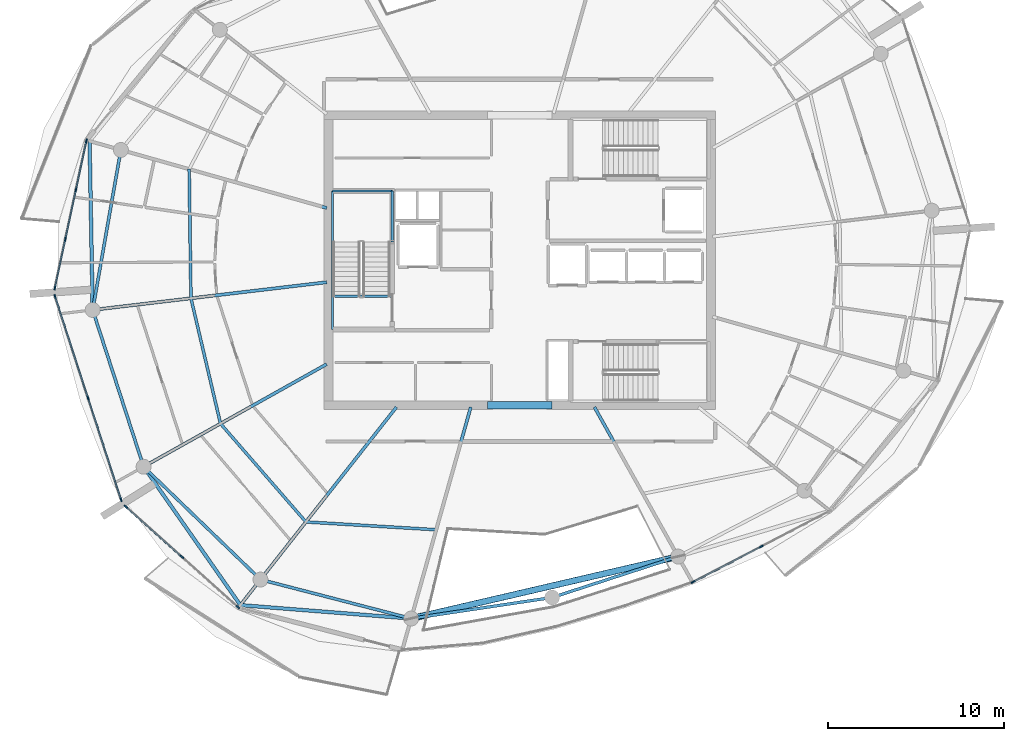
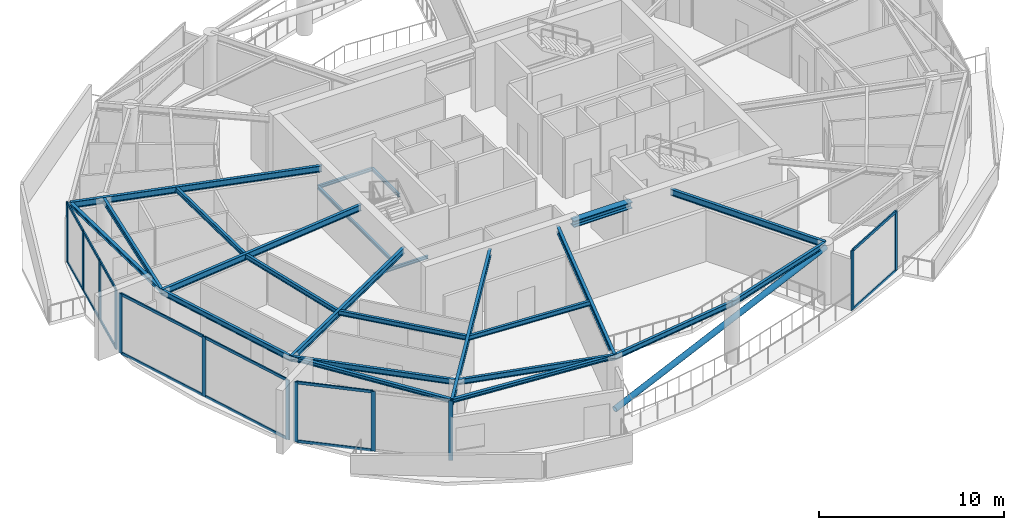
# One storey, part 5 of 22: 27 members, 24 beams, 4 elements without a shape of their own.
"""IFC4 building model written with IfcOpenShell, lengths in metres."""

from ifc_helpers import new_model, si_unit, direction, frame, origin, origin_2d, place, context, subcontext, project, spatial, rectangle, hollow_circle, i_section, extrude, material, layer, layer_set, material_profile, profile_set, type_object, element, aggregate, save


model = new_model("IFC4")

# Units and contexts
model_context = context("Model", 3, precision=1e-05, world=origin(), true_north=direction((0.0, 1.0)))
body_context = subcontext(model_context, "Body", "Model", "MODEL_VIEW")
ifc_project = project(units=[si_unit("LENGTHUNIT", "METRE"), si_unit("AREAUNIT", "SQUARE_METRE"), si_unit("VOLUMEUNIT", "CUBIC_METRE"), si_unit("PLANEANGLEUNIT", "RADIAN"), si_unit("MASSUNIT", "GRAM", prefix="KILO")], contexts=[model_context])

# Site, building, storey
site_placement = place(None, origin())
site = spatial("IfcSite", under=ifc_project, at=site_placement, CompositionType="ELEMENT")
building_placement = place(site_placement, origin())
building = spatial("IfcBuilding", under=site, at=building_placement, Name="Kazma Halo Residences", CompositionType="ELEMENT")
storey_placement = place(building_placement, frame((0.0, 0.0, 330.5)))
storey = spatial("IfcBuildingStorey", under=building, at=storey_placement, Name="L83", CompositionType="ELEMENT", Elevation=330.5)

# Beams
ifc_material_1 = material(Name="Steel S355", Category="steel")
ifc_material_profile_1 = material_profile(ifc_material_1, i_section(OverallWidth=0.201904296875, OverallDepth=0.2470703125, WebThickness=0.00732421875, FlangeThickness=0.010986328125, FilletRadius=0.011962890625, at=origin_2d()), Name="W250x49.1")
ifc_profile_set_1 = profile_set([ifc_material_profile_1], Name="Steel S355")
beam_type_1 = type_object("IfcBeamType", Name="BM-BAL-CANT", PredefinedType="BEAM", material=ifc_profile_set_1)
beam_1_placement = place(storey_placement, frame((23.9638671875, 48.77880859375, 3.81640625), z_axis=(0.018301708623, -0.999832509704, 0.0), x_axis=(0.999832509704, 0.018301708623, 0.0)))
element("IfcBeam", 1, at=beam_1_placement, inside=storey, type_object=beam_type_1, Name="L83 wave-balcony tie beam 07", PredefinedType="BEAM", context=body_context, shape_type="SweptSolid", body=[
    extrude(i_section(OverallWidth=0.201904296875, OverallDepth=0.2470703125, WebThickness=0.00732421875, FlangeThickness=0.010986328125, FilletRadius=0.011962890625, at=origin_2d()), origin(), (0.0, 0.0, 1.0), 9.604736328125),
])
beam_2_placement = place(storey_placement, frame((27.03662109375, 30.260009765625, 3.81640625), z_axis=(0.572873629847, -0.819643705659, 0.0), x_axis=(0.819643705659, 0.572873629847, 0.0)))
element("IfcBeam", 2, at=beam_2_placement, inside=storey, type_object=beam_type_1, Name="L83 wave-balcony lead tie beam 09", PredefinedType="BEAM", context=body_context, shape_type="SweptSolid", body=[
    extrude(i_section(OverallWidth=0.201904296875, OverallDepth=0.2470703125, WebThickness=0.00732421875, FlangeThickness=0.010986328125, FilletRadius=0.011962890625, at=origin_2d()), origin(), (0.0, 0.0, 1.0), 9.6044921875),
])
beam_3_placement = place(storey_placement, frame((32.538818359375, 22.3876953125, 3.81640625), z_axis=(0.996920506796, -0.078418767718, 0.0), x_axis=(0.078418767718, 0.996920506796, 0.0)))
element("IfcBeam", 3, at=beam_3_placement, inside=storey, type_object=beam_type_1, Name="L83 wave-balcony tie beam 10", PredefinedType="BEAM", context=body_context, shape_type="SweptSolid", body=[
    extrude(i_section(OverallWidth=0.201904296875, OverallDepth=0.2470703125, WebThickness=0.00732421875, FlangeThickness=0.010986328125, FilletRadius=0.011962890625, at=origin_2d()), origin(), (0.0, 0.0, 1.0), 9.74462890625),
])
ifc_material_profile_2 = material_profile(ifc_material_1, i_section(OverallWidth=0.408935546875, OverallDepth=0.425048828125, WebThickness=0.03271484375, FlangeThickness=0.052490234375, FilletRadius=0.02001953125, at=origin_2d()), Name="W360x421")
ifc_profile_set_2 = profile_set([ifc_material_profile_2], Name="Steel S355")
beam_type_2 = type_object("IfcBeamType", Name="BM-CORE-W360H", PredefinedType="BEAM", material=ifc_profile_set_2)
beam_4_placement = place(storey_placement, frame((46.60009765625, 33.75, 3.7275390625), z_axis=(1.0, 0.0, 0.0), x_axis=(0.0, 1.0, 0.0)))
element("IfcBeam", 4, at=beam_4_placement, inside=storey, type_object=beam_type_2, Name="L83 core coupling beam S", PredefinedType="BEAM", context=body_context, shape_type="SweptSolid", body=[
    extrude(i_section(OverallWidth=0.408935546875, OverallDepth=0.425048828125, WebThickness=0.03271484375, FlangeThickness=0.052490234375, FilletRadius=0.02001953125, at=origin_2d()), origin(), (0.0, 0.0, 1.0), 3.64990234375),
])
ifc_material_profile_3 = material_profile(ifc_material_1, i_section(OverallWidth=0.177978515625, OverallDepth=0.406982421875, WebThickness=0.0078125, FlangeThickness=0.0126953125, FilletRadius=0.013916015625, at=origin_2d()), Name="W410x60")
ifc_profile_set_3 = profile_set([ifc_material_profile_3], Name="Steel S355")
beam_type_3 = type_object("IfcBeamType", Name="BM-RAD-W410", PredefinedType="BEAM", material=ifc_profile_set_3)
beam_5_placement = place(storey_placement, frame((37.449951171875, 44.975341796875, 3.736572265625), z_axis=(-0.962455278458, 0.27144030093, 0.0), x_axis=(-0.27144030093, -0.962455278458, 0.0)))
element("IfcBeam", 5, at=beam_5_placement, inside=storey, type_object=beam_type_3, Name="L83 radial floor beam 07", PredefinedType="BEAM", context=body_context, shape_type="SweptSolid", body=[
    extrude(i_section(OverallWidth=0.177978515625, OverallDepth=0.406982421875, WebThickness=0.0078125, FlangeThickness=0.0126953125, FilletRadius=0.013916015625, at=origin_2d()), origin(), (0.0, 0.0, 1.0), 14.01220703125),
])
beam_6_placement = place(storey_placement, frame((37.449951171875, 40.751220703125, 3.736572265625), z_axis=(-0.993067923032, -0.11754190846, 0.0), x_axis=(0.11754190846, -0.993067923032, 0.0)))
element("IfcBeam", 6, at=beam_6_placement, inside=storey, type_object=beam_type_3, Name="L83 radial floor beam 08", PredefinedType="BEAM", context=body_context, shape_type="SweptSolid", body=[
    extrude(i_section(OverallWidth=0.177978515625, OverallDepth=0.406982421875, WebThickness=0.0078125, FlangeThickness=0.0126953125, FilletRadius=0.013916015625, at=origin_2d()), origin(), (0.0, 0.0, 1.0), 13.4033203125),
])
beam_7_placement = place(storey_placement, frame((37.449951171875, 36.091796875, 3.736572265625), z_axis=(-0.872494504737, -0.4886239241, 0.0), x_axis=(0.4886239241, -0.872494504737, 0.0)))
element("IfcBeam", 7, at=beam_7_placement, inside=storey, type_object=beam_type_3, Name="L83 radial floor beam 09", PredefinedType="BEAM", context=body_context, shape_type="SweptSolid", body=[
    extrude(i_section(OverallWidth=0.177978515625, OverallDepth=0.406982421875, WebThickness=0.0078125, FlangeThickness=0.0126953125, FilletRadius=0.013916015625, at=origin_2d()), origin(), (0.0, 0.0, 1.0), 11.93505859375),
])
beam_8_placement = place(storey_placement, frame((41.41748046875, 33.64990234375, 3.736572265625), z_axis=(-0.61910487104, -0.78530832076, 0.0), x_axis=(0.78530832076, -0.61910487104, 0.0)))
element("IfcBeam", 8, at=beam_8_placement, inside=storey, type_object=beam_type_3, Name="L83 radial floor beam 10", PredefinedType="BEAM", context=body_context, shape_type="SweptSolid", body=[
    extrude(i_section(OverallWidth=0.177978515625, OverallDepth=0.406982421875, WebThickness=0.0078125, FlangeThickness=0.0126953125, FilletRadius=0.013916015625, at=origin_2d()), origin(), (0.0, 0.0, 1.0), 14.341064453125),
])
beam_9_placement = place(storey_placement, frame((45.64501953125, 33.64990234375, 3.736572265625), z_axis=(-0.271426752139, -0.962459099507, 0.0), x_axis=(0.962459099507, -0.271426752139, 0.0)))
element("IfcBeam", 9, at=beam_9_placement, inside=storey, type_object=beam_type_3, Name="L83 radial floor beam 11", PredefinedType="BEAM", context=body_context, shape_type="SweptSolid", body=[
    extrude(i_section(OverallWidth=0.177978515625, OverallDepth=0.406982421875, WebThickness=0.0078125, FlangeThickness=0.0126953125, FilletRadius=0.013916015625, at=origin_2d()), origin(), (0.0, 0.0, 1.0), 12.495361328125),
])
beam_10_placement = place(storey_placement, frame((52.67626953125, 33.64990234375, 3.736572265625), z_axis=(0.488620919127, -0.872496187608, 0.0), x_axis=(0.872496187608, 0.488620919127, 0.0)))
element("IfcBeam", 10, at=beam_10_placement, inside=storey, type_object=beam_type_3, Name="L83 radial floor beam 13", PredefinedType="BEAM", context=body_context, shape_type="SweptSolid", body=[
    extrude(i_section(OverallWidth=0.177978515625, OverallDepth=0.406982421875, WebThickness=0.0078125, FlangeThickness=0.0126953125, FilletRadius=0.013916015625, at=origin_2d()), origin(), (0.0, 0.0, 1.0), 9.74267578125),
])
ifc_material_profile_4 = material_profile(ifc_material_1, i_section(OverallWidth=0.1650390625, OverallDepth=0.31005859375, WebThickness=0.005859375, FlangeThickness=0.009765625, FilletRadius=0.011962890625, at=origin_2d()), Name="W310x38.7")
ifc_profile_set_4 = profile_set([ifc_material_profile_4], Name="Steel S355")
beam_type_4 = type_object("IfcBeamType", Name="BM-SEC-W310B", PredefinedType="JOIST", material=ifc_profile_set_4)
beam_11_placement = place(storey_placement, frame((29.628173828125, 47.181396484375, 3.784912109375), z_axis=(0.013861699983, -0.999903922021, 0.0), x_axis=(0.999903922021, 0.013861699983, 0.0)))
element("IfcBeam", 11, at=beam_11_placement, inside=storey, type_object=beam_type_4, Name="L83 circumferential floor joist 07", PredefinedType="JOIST", context=body_context, shape_type="SweptSolid", body=[
    extrude(i_section(OverallWidth=0.1650390625, OverallDepth=0.31005859375, WebThickness=0.005859375, FlangeThickness=0.009765625, FilletRadius=0.011962890625, at=origin_2d()), origin(), (0.0, 0.0, 1.0), 7.344482421875),
])
beam_12_placement = place(storey_placement, frame((29.72998046875, 39.837646484375, 3.784912109375), z_axis=(0.229446221817, -0.973321340203, 0.0), x_axis=(0.973321340203, 0.229446221817, 0.0)))
element("IfcBeam", 12, at=beam_12_placement, inside=storey, type_object=beam_type_4, Name="L83 circumferential floor joist 08", PredefinedType="JOIST", context=body_context, shape_type="SweptSolid", body=[
    extrude(i_section(OverallWidth=0.1650390625, OverallDepth=0.31005859375, WebThickness=0.005859375, FlangeThickness=0.009765625, FilletRadius=0.011962890625, at=origin_2d()), origin(), (0.0, 0.0, 1.0), 7.32373046875),
])
beam_13_placement = place(storey_placement, frame((31.410400390625, 32.709228515625, 3.784912109375), z_axis=(0.655826094878, -0.754912003664, 0.0), x_axis=(0.754912003664, 0.655826094878, 0.0)))
element("IfcBeam", 13, at=beam_13_placement, inside=storey, type_object=beam_type_4, Name="L83 circumferential floor joist 09", PredefinedType="JOIST", context=body_context, shape_type="SweptSolid", body=[
    extrude(i_section(OverallWidth=0.1650390625, OverallDepth=0.31005859375, WebThickness=0.005859375, FlangeThickness=0.009765625, FilletRadius=0.011962890625, at=origin_2d()), origin(), (0.0, 0.0, 1.0), 7.406494140625),
])
beam_14_placement = place(storey_placement, frame((36.267822265625, 27.117919921875, 3.784912109375), z_axis=(0.998216858477, -0.059691736892, 0.0), x_axis=(0.059691736892, 0.998216858477, 0.0)))
element("IfcBeam", 14, at=beam_14_placement, inside=storey, type_object=beam_type_4, Name="L83 circumferential floor joist 10", PredefinedType="JOIST", context=body_context, shape_type="SweptSolid", body=[
    extrude(i_section(OverallWidth=0.1650390625, OverallDepth=0.31005859375, WebThickness=0.005859375, FlangeThickness=0.009765625, FilletRadius=0.011962890625, at=origin_2d()), origin(), (0.0, 0.0, 1.0), 7.42333984375),
])
ifc_material_profile_5 = material_profile(ifc_material_1, i_section(OverallWidth=0.1708984375, OverallDepth=0.35498046875, WebThickness=0.007080078125, FlangeThickness=0.01171875, FilletRadius=0.013916015625, at=origin_2d()), Name="W360x51")
ifc_profile_set_5 = profile_set([ifc_material_profile_5], Name="Steel S355")
beam_type_5 = type_object("IfcBeamType", Name="BM-SPN-W360", PredefinedType="BEAM", material=ifc_profile_set_5)
beam_15_placement = place(storey_placement, frame((25.744384765625, 48.276611328125, 3.762451171875), z_axis=(-0.173649692956, -0.984807485825, 0.0), x_axis=(0.984807485825, -0.173649692956, 0.0)))
element("IfcBeam", 15, at=beam_15_placement, inside=storey, type_object=beam_type_5, Name="L83 perimeter ring beam 07", PredefinedType="BEAM", context=body_context, shape_type="SweptSolid", body=[
    extrude(i_section(OverallWidth=0.1708984375, OverallDepth=0.35498046875, WebThickness=0.007080078125, FlangeThickness=0.01171875, FilletRadius=0.013916015625, at=origin_2d()), origin(), (0.0, 0.0, 1.0), 9.2412109375),
])
beam_16_placement = place(storey_placement, frame((24.1396484375, 39.17578125, 3.762451171875), z_axis=(0.309023062674, -0.951054544564, 0.0), x_axis=(0.951054544564, 0.309023062674, 0.0)))
element("IfcBeam", 16, at=beam_16_placement, inside=storey, type_object=beam_type_5, Name="L83 perimeter ring beam 08", PredefinedType="BEAM", context=body_context, shape_type="SweptSolid", body=[
    extrude(i_section(OverallWidth=0.1708984375, OverallDepth=0.35498046875, WebThickness=0.007080078125, FlangeThickness=0.01171875, FilletRadius=0.013916015625, at=origin_2d()), origin(), (0.0, 0.0, 1.0), 9.37451171875),
])
beam_17_placement = place(storey_placement, frame((27.03662109375, 30.260009765625, 3.762451171875), z_axis=(0.71933681628, -0.694661460529, 0.0), x_axis=(0.694661460529, 0.71933681628, 0.0)))
element("IfcBeam", 17, at=beam_17_placement, inside=storey, type_object=beam_type_5, Name="L83 perimeter ring beam 09", PredefinedType="BEAM", context=body_context, shape_type="SweptSolid", body=[
    extrude(i_section(OverallWidth=0.1708984375, OverallDepth=0.35498046875, WebThickness=0.007080078125, FlangeThickness=0.01171875, FilletRadius=0.013916015625, at=origin_2d()), origin(), (0.0, 0.0, 1.0), 9.2412109375),
])
beam_18_placement = place(storey_placement, frame((33.68408203125, 23.840576171875, 3.762451171875), z_axis=(0.968124082793, -0.250471076805, 0.0), x_axis=(0.250471076805, 0.968124082793, 0.0)))
element("IfcBeam", 18, at=beam_18_placement, inside=storey, type_object=beam_type_5, Name="L83 perimeter ring beam 10", PredefinedType="BEAM", context=body_context, shape_type="SweptSolid", body=[
    extrude(i_section(OverallWidth=0.1708984375, OverallDepth=0.35498046875, WebThickness=0.007080078125, FlangeThickness=0.01171875, FilletRadius=0.013916015625, at=origin_2d()), origin(), (0.0, 0.0, 1.0), 8.8515625),
])
beam_19_placement = place(storey_placement, frame((42.25341796875, 21.62353515625, 3.762451171875), z_axis=(0.989030710595, 0.147710031817, 0.0), x_axis=(-0.147710031817, 0.989030710595, 0.0)))
element("IfcBeam", 19, at=beam_19_placement, inside=storey, type_object=beam_type_5, Name="L83 perimeter ring beam 11", PredefinedType="BEAM", context=body_context, shape_type="SweptSolid", body=[
    extrude(i_section(OverallWidth=0.1708984375, OverallDepth=0.35498046875, WebThickness=0.007080078125, FlangeThickness=0.01171875, FilletRadius=0.013916015625, at=origin_2d()), origin(), (0.0, 0.0, 1.0), 8.10546875),
])
beam_20_placement = place(storey_placement, frame((50.27001953125, 22.82080078125, 3.762451171875), z_axis=(0.951056684666, 0.309016476183, 0.0), x_axis=(-0.309016476183, 0.951056684666, 0.0)))
element("IfcBeam", 20, at=beam_20_placement, inside=storey, type_object=beam_type_5, Name="L83 perimeter ring beam 12", PredefinedType="BEAM", context=body_context, shape_type="SweptSolid", body=[
    extrude(i_section(OverallWidth=0.1708984375, OverallDepth=0.35498046875, WebThickness=0.007080078125, FlangeThickness=0.01171875, FilletRadius=0.013916015625, at=origin_2d()), origin(), (0.0, 0.0, 1.0), 7.53564453125),
])
ifc_material_profile_6 = material_profile(ifc_material_1, i_section(OverallWidth=0.133056640625, OverallDepth=0.20703125, WebThickness=0.005859375, FlangeThickness=0.00830078125, FilletRadius=0.010009765625, at=origin_2d()), Name="W200x26.6")
ifc_profile_set_6 = profile_set([ifc_material_profile_6], Name="Steel S355")
beam_type_6 = type_object("IfcBeamType", Name="BM-TRIM-W200", PredefinedType="BEAM", material=ifc_profile_set_6)
beam_21_placement = place(storey_placement, frame((37.800048828125, 39.949951171875, -0.3701171875), z_axis=(1.0, 0.0, 0.0), x_axis=(0.0, 1.0, 0.0)))
element("IfcBeam", 21, at=beam_21_placement, inside=storey, type_object=beam_type_6, Name="L83 ST-01 floor landing support beam", PredefinedType="BEAM", context=body_context, shape_type="SweptSolid", body=[
    extrude(i_section(OverallWidth=0.133056640625, OverallDepth=0.20703125, WebThickness=0.005859375, FlangeThickness=0.00830078125, FilletRadius=0.010009765625, at=origin_2d()), origin(), (0.0, 0.0, 1.0), 3.3798828125),
])
beam_22_placement = place(storey_placement, frame((37.780029296875, 38.06005859375, 1.794921875), z_axis=(0.0, 1.0, 0.0), x_axis=(-1.0, 0.0, 0.0)))
element("IfcBeam", 22, at=beam_22_placement, inside=storey, type_object=beam_type_6, Name="L83 ST-01 landing west wall ledger", PredefinedType="BEAM", context=body_context, shape_type="SweptSolid", body=[
    extrude(i_section(OverallWidth=0.133056640625, OverallDepth=0.20703125, WebThickness=0.005859375, FlangeThickness=0.00830078125, FilletRadius=0.010009765625, at=origin_2d()), origin(), (0.0, 0.0, 1.0), 7.8798828125),
])
beam_23_placement = place(storey_placement, frame((41.179931640625, 43.030029296875, 1.794921875), z_axis=(0.0, 1.0, 0.0), x_axis=(-1.0, 0.0, 0.0)))
element("IfcBeam", 23, at=beam_23_placement, inside=storey, type_object=beam_type_6, Name="L83 ST-01 landing east wall ledger", PredefinedType="BEAM", context=body_context, shape_type="SweptSolid", body=[
    extrude(i_section(OverallWidth=0.133056640625, OverallDepth=0.20703125, WebThickness=0.005859375, FlangeThickness=0.00830078125, FilletRadius=0.010009765625, at=origin_2d()), origin(), (0.0, 0.0, 1.0), 2.909912109375),
])
beam_24_placement = place(storey_placement, frame((37.780029296875, 45.93994140625, 1.794921875), z_axis=(1.0, 0.0, 0.0), x_axis=(0.0, 1.0, 0.0)))
element("IfcBeam", 24, at=beam_24_placement, inside=storey, type_object=beam_type_6, Name="L83 ST-01 landing end wall ledger", PredefinedType="BEAM", context=body_context, shape_type="SweptSolid", body=[
    extrude(i_section(OverallWidth=0.133056640625, OverallDepth=0.20703125, WebThickness=0.005859375, FlangeThickness=0.00830078125, FilletRadius=0.010009765625, at=origin_2d()), origin(), (0.0, 0.0, 1.0), 3.39990234375),
])

# Curtain wall, members
ifc_material_2 = material(Name="Aluminium AW-6063 T6 and Triple-Silver Low-E Glass", Category="aluminium")
ifc_layer = layer(ifc_material_2, 0.239990234375)
ifc_layer_set = layer_set([ifc_layer], Name="Aluminium AW-6063 T6 and Triple-Silver Low-E Glass")
curtain_wall_type = type_object("IfcCurtainWallType", Name="CW-SYS-6", PredefinedType="NOTDEFINED", material=ifc_layer_set)
curtain_wall_1_placement = place(storey_placement, origin())
curtain_wall_1 = element("IfcCurtainWall", 25, at=curtain_wall_1_placement, inside=storey, type_object=curtain_wall_type, Name="L83 unitised curtain wall B07", PredefinedType="NOTDEFINED")
ifc_material_3 = material(Name="Aluminium AW-6063 T6", Category="aluminium")
ifc_material_profile_7 = material_profile(ifc_material_3, rectangle(XDim=0.080078125, YDim=0.239990234375, at=origin_2d()), Name="CWM-80x240")
ifc_profile_set_7 = profile_set([ifc_material_profile_7], Name="Aluminium AW-6063 T6")
member_type_1 = type_object("IfcMemberType", Name="CW-SYS-6-MUL", PredefinedType="MULLION", material=ifc_profile_set_7)
member_1_placement = place(storey_placement, frame((23.7841796875, 48.7880859375, 0.0), z_axis=(0.0, 0.0, 1.0), x_axis=(0.977760865363, -0.209722888986, 0.0)))
member_1 = element("IfcMember", 26, at=member_1_placement, type_object=member_type_1, Name="CWS-6 mullion 1", PredefinedType="MULLION", context=body_context, shape_type="SweptSolid", body=[
    extrude(rectangle(XDim=0.080078125, YDim=0.239990234375, at=origin_2d()), origin(), (0.0, 0.0, 1.0), 3.93994140625),
])
member_2_placement = place(storey_placement, frame((23.18896484375, 46.013427734375, 0.0), z_axis=(0.0, 0.0, 1.0), x_axis=(0.977760865363, -0.209722888986, 0.0)))
member_2 = element("IfcMember", 27, at=member_2_placement, type_object=member_type_1, Name="CWS-6 mullion 2", PredefinedType="MULLION", context=body_context, shape_type="SweptSolid", body=[
    extrude(rectangle(XDim=0.080078125, YDim=0.239990234375, at=origin_2d()), origin(), (0.0, 0.0, 1.0), 3.93994140625),
])
member_3_placement = place(storey_placement, frame((22.58544921875, 43.19970703125, 0.0), z_axis=(0.0, 0.0, 1.0), x_axis=(0.977760865363, -0.209722888986, 0.0)))
member_3 = element("IfcMember", 28, at=member_3_placement, type_object=member_type_1, Name="CWS-6 mullion 3", PredefinedType="MULLION", context=body_context, shape_type="SweptSolid", body=[
    extrude(rectangle(XDim=0.080078125, YDim=0.239990234375, at=origin_2d()), origin(), (0.0, 0.0, 1.0), 3.93994140625),
])
member_4_placement = place(storey_placement, frame((21.990234375, 40.425048828125, 0.0), z_axis=(0.0, 0.0, 1.0), x_axis=(0.977760865363, -0.209722888986, 0.0)))
member_4 = element("IfcMember", 29, at=member_4_placement, type_object=member_type_1, Name="CWS-6 mullion 4", PredefinedType="MULLION", context=body_context, shape_type="SweptSolid", body=[
    extrude(rectangle(XDim=0.080078125, YDim=0.239990234375, at=origin_2d()), origin(), (0.0, 0.0, 1.0), 3.93994140625),
])

curtain_wall_2_placement = place(storey_placement, origin())
curtain_wall_2 = element("IfcCurtainWall", 30, at=curtain_wall_2_placement, inside=storey, type_object=curtain_wall_type, Name="L83 unitised curtain wall B08", PredefinedType="NOTDEFINED")
member_5_placement = place(storey_placement, frame((22.0009765625, 39.937744140625, 0.0), z_axis=(0.0, 0.0, 1.0), x_axis=(0.951055886462, 0.309018932797, 0.0)))
member_5 = element("IfcMember", 31, at=member_5_placement, type_object=member_type_1, Name="CWS-6 mullion 1", PredefinedType="MULLION", context=body_context, shape_type="SweptSolid", body=[
    extrude(rectangle(XDim=0.080078125, YDim=0.239990234375, at=origin_2d()), origin(), (0.0, 0.0, 1.0), 3.93994140625),
])
member_6_placement = place(storey_placement, frame((23.87744140625, 34.162109375, 0.0), z_axis=(0.0, 0.0, 1.0), x_axis=(0.951055886462, 0.309018932797, 0.0)))
member_6 = element("IfcMember", 32, at=member_6_placement, type_object=member_type_1, Name="CWS-6 mullion 2", PredefinedType="MULLION", context=body_context, shape_type="SweptSolid", body=[
    extrude(rectangle(XDim=0.080078125, YDim=0.239990234375, at=origin_2d()), origin(), (0.0, 0.0, 1.0), 3.93994140625),
])
member_7_placement = place(storey_placement, frame((25.754150390625, 28.38671875, 0.0), z_axis=(0.0, 0.0, 1.0), x_axis=(0.951055886462, 0.309018932797, 0.0)))
member_7 = element("IfcMember", 33, at=member_7_placement, type_object=member_type_1, Name="CWS-6 mullion 3", PredefinedType="MULLION", context=body_context, shape_type="SweptSolid", body=[
    extrude(rectangle(XDim=0.080078125, YDim=0.239990234375, at=origin_2d()), origin(), (0.0, 0.0, 1.0), 3.93994140625),
])

curtain_wall_3_placement = place(storey_placement, origin())
curtain_wall_3 = element("IfcCurtainWall", 34, at=curtain_wall_3_placement, inside=storey, type_object=curtain_wall_type, Name="L83 unitised curtain wall B09", PredefinedType="NOTDEFINED")
member_8_placement = place(storey_placement, frame((26.031982421875, 27.986083984375, 0.0), z_axis=(0.0, 0.0, 1.0), x_axis=(0.667757559118, 0.744378829791, 0.0)))
member_8 = element("IfcMember", 35, at=member_8_placement, type_object=member_type_1, Name="CWS-6 mullion 1", PredefinedType="MULLION", context=body_context, shape_type="SweptSolid", body=[
    extrude(rectangle(XDim=0.080078125, YDim=0.239990234375, at=origin_2d()), origin(), (0.0, 0.0, 1.0), 3.93994140625),
])
member_9_placement = place(storey_placement, frame((29.21533203125, 25.13037109375, 0.0), z_axis=(0.0, 0.0, 1.0), x_axis=(0.667757559118, 0.744378829791, 0.0)))
member_9 = element("IfcMember", 36, at=member_9_placement, type_object=member_type_1, Name="CWS-6 mullion 2", PredefinedType="MULLION", context=body_context, shape_type="SweptSolid", body=[
    extrude(rectangle(XDim=0.080078125, YDim=0.239990234375, at=origin_2d()), origin(), (0.0, 0.0, 1.0), 3.93994140625),
])
member_10_placement = place(storey_placement, frame((32.39892578125, 22.2744140625, 0.0), z_axis=(0.0, 0.0, 1.0), x_axis=(0.667757559118, 0.744378829791, 0.0)))
member_10 = element("IfcMember", 37, at=member_10_placement, type_object=member_type_1, Name="CWS-6 mullion 3", PredefinedType="MULLION", context=body_context, shape_type="SweptSolid", body=[
    extrude(rectangle(XDim=0.080078125, YDim=0.239990234375, at=origin_2d()), origin(), (0.0, 0.0, 1.0), 3.93994140625),
])

curtain_wall_4_placement = place(storey_placement, origin())
curtain_wall_4 = element("IfcCurtainWall", 38, at=curtain_wall_4_placement, inside=storey, type_object=curtain_wall_type, Name="L83 unitised curtain wall B13", PredefinedType="NOTDEFINED")
member_11_placement = place(storey_placement, frame((58.290283203125, 23.70703125, 0.0), z_axis=(0.0, 0.0, 1.0), x_axis=(-0.460796020861, 0.887506071618, 0.0)))
member_11 = element("IfcMember", 39, at=member_11_placement, type_object=member_type_1, Name="CWS-6 mullion 1", PredefinedType="MULLION", context=body_context, shape_type="SweptSolid", body=[
    extrude(rectangle(XDim=0.080078125, YDim=0.239990234375, at=origin_2d()), origin(), (0.0, 0.0, 1.0), 3.93994140625),
])
member_12_placement = place(storey_placement, frame((62.16552734375, 25.71923828125, 0.0), z_axis=(0.0, 0.0, 1.0), x_axis=(-0.460796020861, 0.887506071618, 0.0)))
member_12 = element("IfcMember", 40, at=member_12_placement, type_object=member_type_1, Name="CWS-6 mullion 2", PredefinedType="MULLION", context=body_context, shape_type="SweptSolid", body=[
    extrude(rectangle(XDim=0.080078125, YDim=0.239990234375, at=origin_2d()), origin(), (0.0, 0.0, 1.0), 3.93994140625),
])

# Member
ifc_material_profile_8 = material_profile(ifc_material_3, rectangle(XDim=0.080078125, YDim=0.179931640625, at=origin_2d()), Name="CWT-80x180")
ifc_profile_set_8 = profile_set([ifc_material_profile_8], Name="Aluminium AW-6063 T6")
member_type_2 = type_object("IfcMemberType", Name="CW-SYS-6-TRN", PredefinedType="USERDEFINED", material=ifc_profile_set_8)
member_13_placement = place(storey_placement, frame((23.775634765625, 48.7490234375, 0.0400390625), z_axis=(-0.209716499477, -0.977762235846, 0.0), x_axis=(0.977762235846, -0.209716499477, 0.0)))
member_13 = element("IfcMember", 41, at=member_13_placement, type_object=member_type_2, Name="CWS-6 transom 1.1", ObjectType="TRANSOM", PredefinedType="USERDEFINED", context=body_context, shape_type="SweptSolid", body=[
    extrude(rectangle(XDim=0.080078125, YDim=0.179931640625, at=origin_2d()), origin(), (0.0, 0.0, 1.0), 2.7578125),
])

member_14_placement = place(storey_placement, frame((23.775634765625, 48.7490234375, 3.89990234375), z_axis=(-0.209716499477, -0.977762235846, 0.0), x_axis=(0.977762235846, -0.209716499477, 0.0)))
member_14 = element("IfcMember", 42, at=member_14_placement, type_object=member_type_2, Name="CWS-6 transom 1.2", ObjectType="TRANSOM", PredefinedType="USERDEFINED", context=body_context, shape_type="SweptSolid", body=[
    extrude(rectangle(XDim=0.080078125, YDim=0.179931640625, at=origin_2d()), origin(), (0.0, 0.0, 1.0), 2.7578125),
])

member_15_placement = place(storey_placement, frame((23.1806640625, 45.974365234375, 0.0400390625), z_axis=(-0.209773410621, -0.977750027459, 0.0), x_axis=(0.977750027459, -0.209773410621, 0.0)))
member_15 = element("IfcMember", 43, at=member_15_placement, type_object=member_type_2, Name="CWS-6 transom 2.1", ObjectType="TRANSOM", PredefinedType="USERDEFINED", context=body_context, shape_type="SweptSolid", body=[
    extrude(rectangle(XDim=0.080078125, YDim=0.179931640625, at=origin_2d()), origin(), (0.0, 0.0, 1.0), 2.7978515625),
])

member_16_placement = place(storey_placement, frame((23.1806640625, 45.974365234375, 3.89990234375), z_axis=(-0.209773410621, -0.977750027459, 0.0), x_axis=(0.977750027459, -0.209773410621, 0.0)))
member_16 = element("IfcMember", 44, at=member_16_placement, type_object=member_type_2, Name="CWS-6 transom 2.2", ObjectType="TRANSOM", PredefinedType="USERDEFINED", context=body_context, shape_type="SweptSolid", body=[
    extrude(rectangle(XDim=0.080078125, YDim=0.179931640625, at=origin_2d()), origin(), (0.0, 0.0, 1.0), 2.7978515625),
])

member_17_placement = place(storey_placement, frame((22.5771484375, 43.16064453125, 0.0400390625), z_axis=(-0.209716499477, -0.977762235846, 0.0), x_axis=(0.977762235846, -0.209716499477, 0.0)))
member_17 = element("IfcMember", 45, at=member_17_placement, type_object=member_type_2, Name="CWS-6 transom 3.1", ObjectType="TRANSOM", PredefinedType="USERDEFINED", context=body_context, shape_type="SweptSolid", body=[
    extrude(rectangle(XDim=0.080078125, YDim=0.179931640625, at=origin_2d()), origin(), (0.0, 0.0, 1.0), 2.7578125),
])

member_18_placement = place(storey_placement, frame((22.5771484375, 43.16064453125, 3.89990234375), z_axis=(-0.209716499477, -0.977762235846, 0.0), x_axis=(0.977762235846, -0.209716499477, 0.0)))
member_18 = element("IfcMember", 46, at=member_18_placement, type_object=member_type_2, Name="CWS-6 transom 3.2", ObjectType="TRANSOM", PredefinedType="USERDEFINED", context=body_context, shape_type="SweptSolid", body=[
    extrude(rectangle(XDim=0.080078125, YDim=0.179931640625, at=origin_2d()), origin(), (0.0, 0.0, 1.0), 2.7578125),
])

aggregate(curtain_wall_1, [member_1, member_2, member_3, member_4, member_13, member_14, member_15, member_16, member_17, member_18])

member_19_placement = place(storey_placement, frame((22.013427734375, 39.899658203125, 0.0400390625), z_axis=(0.309007770724, -0.951059513191, 0.0), x_axis=(0.951059513191, 0.309007770724, 0.0)))
member_19 = element("IfcMember", 47, at=member_19_placement, type_object=member_type_2, Name="CWS-6 transom 1.1", ObjectType="TRANSOM", PredefinedType="USERDEFINED", context=body_context, shape_type="SweptSolid", body=[
    extrude(rectangle(XDim=0.080078125, YDim=0.179931640625, at=origin_2d()), origin(), (0.0, 0.0, 1.0), 5.99267578125),
])

member_20_placement = place(storey_placement, frame((22.013427734375, 39.899658203125, 3.89990234375), z_axis=(0.309007770724, -0.951059513191, 0.0), x_axis=(0.951059513191, 0.309007770724, 0.0)))
member_20 = element("IfcMember", 48, at=member_20_placement, type_object=member_type_2, Name="CWS-6 transom 1.2", ObjectType="TRANSOM", PredefinedType="USERDEFINED", context=body_context, shape_type="SweptSolid", body=[
    extrude(rectangle(XDim=0.080078125, YDim=0.179931640625, at=origin_2d()), origin(), (0.0, 0.0, 1.0), 5.99267578125),
])

member_21_placement = place(storey_placement, frame((23.889892578125, 34.1240234375, 0.0400390625), z_axis=(0.309019743831, -0.951055622938, 0.0), x_axis=(0.951055622938, 0.309019743831, 0.0)))
member_21 = element("IfcMember", 49, at=member_21_placement, type_object=member_type_2, Name="CWS-6 transom 2.1", ObjectType="TRANSOM", PredefinedType="USERDEFINED", context=body_context, shape_type="SweptSolid", body=[
    extrude(rectangle(XDim=0.080078125, YDim=0.179931640625, at=origin_2d()), origin(), (0.0, 0.0, 1.0), 5.992431640625),
])

member_22_placement = place(storey_placement, frame((23.889892578125, 34.1240234375, 3.89990234375), z_axis=(0.309019743831, -0.951055622938, 0.0), x_axis=(0.951055622938, 0.309019743831, 0.0)))
member_22 = element("IfcMember", 50, at=member_22_placement, type_object=member_type_2, Name="CWS-6 transom 2.2", ObjectType="TRANSOM", PredefinedType="USERDEFINED", context=body_context, shape_type="SweptSolid", body=[
    extrude(rectangle(XDim=0.080078125, YDim=0.179931640625, at=origin_2d()), origin(), (0.0, 0.0, 1.0), 5.992431640625),
])

aggregate(curtain_wall_2, [member_5, member_6, member_7, member_19, member_20, member_21, member_22])

member_23_placement = place(storey_placement, frame((26.061767578125, 27.95947265625, 0.0400390625), z_axis=(0.744349048391, -0.66779075627, 0.0), x_axis=(0.66779075627, 0.744349048391, 0.0)))
member_23 = element("IfcMember", 51, at=member_23_placement, type_object=member_type_2, Name="CWS-6 transom 1.1", ObjectType="TRANSOM", PredefinedType="USERDEFINED", context=body_context, shape_type="SweptSolid", body=[
    extrude(rectangle(XDim=0.080078125, YDim=0.179931640625, at=origin_2d()), origin(), (0.0, 0.0, 1.0), 4.19677734375),
])

member_24_placement = place(storey_placement, frame((26.061767578125, 27.95947265625, 3.89990234375), z_axis=(0.744349048391, -0.66779075627, 0.0), x_axis=(0.66779075627, 0.744349048391, 0.0)))
member_24 = element("IfcMember", 52, at=member_24_placement, type_object=member_type_2, Name="CWS-6 transom 1.2", ObjectType="TRANSOM", PredefinedType="USERDEFINED", context=body_context, shape_type="SweptSolid", body=[
    extrude(rectangle(XDim=0.080078125, YDim=0.179931640625, at=origin_2d()), origin(), (0.0, 0.0, 1.0), 4.19677734375),
])

aggregate(curtain_wall_3, [member_8, member_9, member_10, member_23, member_24])

member_25_placement = place(storey_placement, frame((58.32568359375, 23.7255859375, 0.0400390625), z_axis=(0.88752339951, 0.460762645321, 0.0), x_axis=(-0.460762645321, 0.88752339951, 0.0)))
member_25 = element("IfcMember", 53, at=member_25_placement, type_object=member_type_2, Name="CWS-6 transom 1.1", ObjectType="TRANSOM", PredefinedType="USERDEFINED", context=body_context, shape_type="SweptSolid", body=[
    extrude(rectangle(XDim=0.080078125, YDim=0.179931640625, at=origin_2d()), origin(), (0.0, 0.0, 1.0), 4.28662109375),
])

member_26_placement = place(storey_placement, frame((58.32568359375, 23.7255859375, 3.89990234375), z_axis=(0.88752339951, 0.460762645321, 0.0), x_axis=(-0.460762645321, 0.88752339951, 0.0)))
member_26 = element("IfcMember", 54, at=member_26_placement, type_object=member_type_2, Name="CWS-6 transom 1.2", ObjectType="TRANSOM", PredefinedType="USERDEFINED", context=body_context, shape_type="SweptSolid", body=[
    extrude(rectangle(XDim=0.080078125, YDim=0.179931640625, at=origin_2d()), origin(), (0.0, 0.0, 1.0), 4.28662109375),
])

aggregate(curtain_wall_4, [member_11, member_12, member_25, member_26])

ifc_material_profile_9 = material_profile(ifc_material_1, hollow_circle(Radius=0.177734375, WallThickness=0.012451171875, at=origin_2d()), Name="CHS355.6x12.5")
ifc_profile_set_9 = profile_set([ifc_material_profile_9], Name="Steel S355")
member_type_3 = type_object("IfcMemberType", Name="MBR-PORT-CHS355", PredefinedType="BRACE", material=ifc_profile_set_9)
member_27_placement = place(storey_placement, frame((42.25341796875, 21.62353515625, 0.300048828125), z_axis=(0.953451168397, 0.221410522005, 0.204715046415), x_axis=(-0.226201096399, 0.974080624994, 0.0)))
element("IfcMember", 55, at=member_27_placement, inside=storey, type_object=member_type_3, Name="L83 upper wind-portal brace SSE", PredefinedType="BRACE", context=body_context, shape_type="SweptSolid", body=[
    extrude(hollow_circle(Radius=0.177734375, WallThickness=0.012451171875, at=origin_2d()), origin(), (0.0, 0.0, 1.0), 15.924560546875),
])

save(model, "model.ifc")
